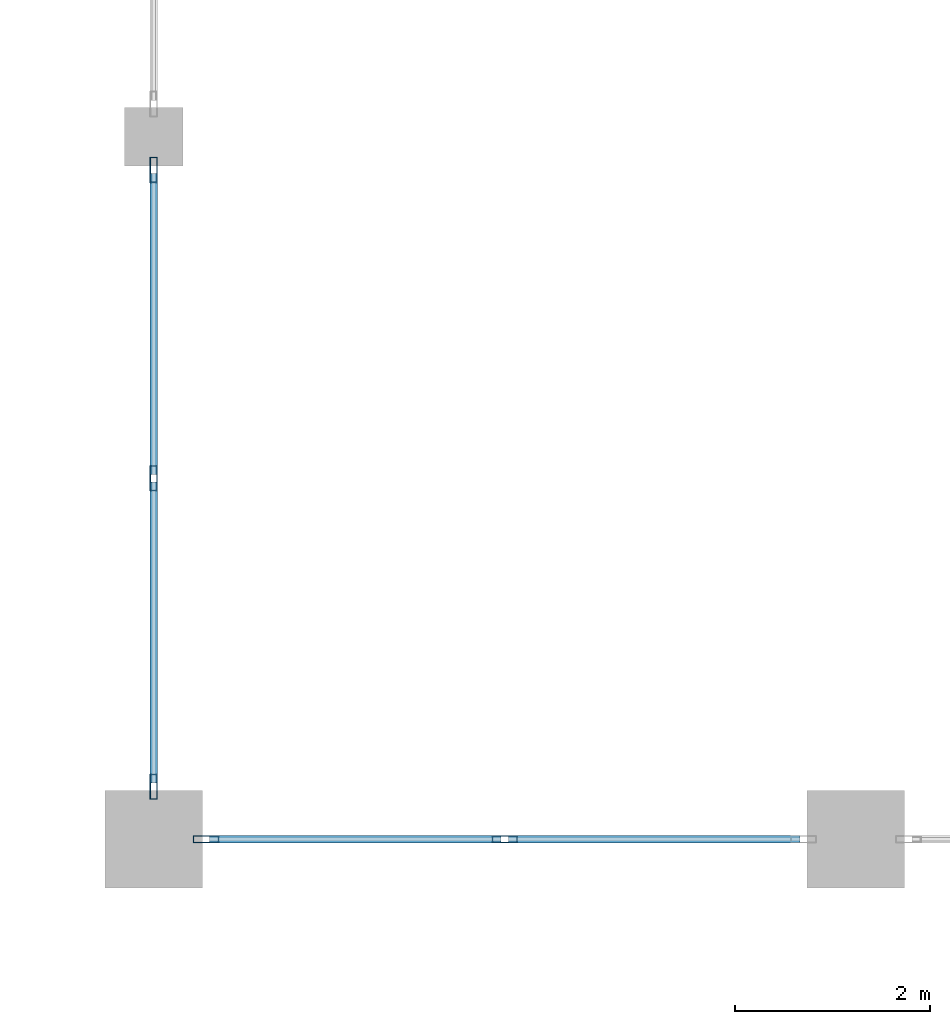
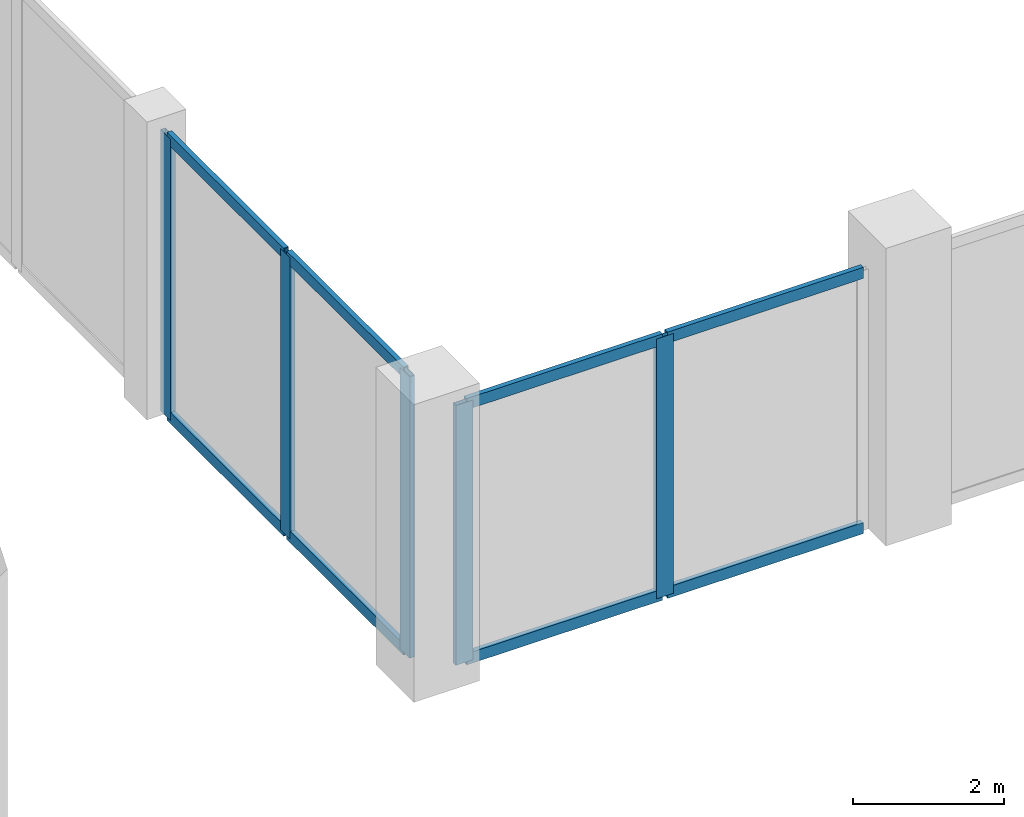
# One storey, part 26 of 99: 13 members, 2 elements without a shape of their own.
"""IFC4 building model written with IfcOpenShell, lengths in metres."""

from ifc_helpers import new_model, si_unit, direction, frame, origin, origin_2d, place, context, subcontext, project, spatial, hollow_rectangle, extrude, material, material_profile, profile_set, type_object, element, aggregate, save


model = new_model("IFC4")

# Units and contexts
model_context = context("Model", 3, precision=1e-05, world=origin(), true_north=direction((0.0, 1.0)))
body_context = subcontext(model_context, "Body", "Model", "MODEL_VIEW")
ifc_project = project(units=[si_unit("LENGTHUNIT", "METRE"), si_unit("AREAUNIT", "SQUARE_METRE"), si_unit("VOLUMEUNIT", "CUBIC_METRE"), si_unit("PLANEANGLEUNIT", "RADIAN"), si_unit("MASSUNIT", "GRAM", prefix="KILO")], contexts=[model_context])

# Site, building, storey
site_placement = place(None, origin())
site = spatial("IfcSite", under=ifc_project, at=site_placement, CompositionType="ELEMENT")
building_placement = place(site_placement, origin())
building = spatial("IfcBuilding", under=site, at=building_placement, Name="Vesperath Aquatics Centre", CompositionType="ELEMENT")
storey_placement = place(building_placement, frame((0.0, 0.0, 5.39990234375)))
storey = spatial("IfcBuildingStorey", under=building, at=storey_placement, Name="L01", CompositionType="ELEMENT", Elevation=5.39990234375)

# Curtain wall, members
ifc_material_1 = material(Name="Thermally broken anodised bronze aluminium curtain wall", Category="aluminium")
curtain_wall_type = type_object("IfcCurtainWallType", Name="CW-02", PredefinedType="NOTDEFINED", material=ifc_material_1)
curtain_wall_1_placement = place(storey_placement, origin())
curtain_wall_1 = element("IfcCurtainWall", 1, at=curtain_wall_1_placement, inside=storey, type_object=curtain_wall_type, Name="Facade Curtain Wall CW02 L01_N_08_12", PredefinedType="NOTDEFINED")
ifc_material_2 = material(Name="Thermally broken anodised aluminium", Category="aluminium")
ifc_material_profile_1 = material_profile(ifc_material_2, hollow_rectangle(XDim=0.074951171875, YDim=0.260009765625, WallThickness=0.006103515625, at=origin_2d()), Name="CWM 75x260x6")
ifc_profile_set_1 = profile_set([ifc_material_profile_1], Name="Thermally broken anodised aluminium")
member_type_1 = type_object("IfcMemberType", Name="MB-CWM1", PredefinedType="MULLION", material=ifc_profile_set_1)
member_1_placement = place(storey_placement, frame((58.137451171875, 86.39990234375, 0.0), z_axis=(0.0, 0.0, 1.0), x_axis=(0.0, 1.0, 0.0)))
member_1 = element("IfcMember", 2, at=member_1_placement, type_object=member_type_1, Name="CW02 mullion 1", PredefinedType="MULLION", context=body_context, shape_type="SweptSolid", body=[
    extrude(hollow_rectangle(XDim=0.074951171875, YDim=0.260009765625, WallThickness=0.006103515625, at=origin_2d()), origin(), (0.0, 0.0, 1.0), 4.190185546875),
])
member_2_placement = place(storey_placement, frame((61.199951171875, 86.39990234375, 0.0), z_axis=(0.0, 0.0, 1.0), x_axis=(0.0, 1.0, 0.0)))
member_2 = element("IfcMember", 3, at=member_2_placement, type_object=member_type_1, Name="CW02 mullion 2", PredefinedType="MULLION", context=body_context, shape_type="SweptSolid", body=[
    extrude(hollow_rectangle(XDim=0.074951171875, YDim=0.260009765625, WallThickness=0.006103515625, at=origin_2d()), origin(), (0.0, 0.0, 1.0), 4.190185546875),
])

curtain_wall_2_placement = place(storey_placement, origin())
curtain_wall_2 = element("IfcCurtainWall", 4, at=curtain_wall_2_placement, inside=storey, type_object=curtain_wall_type, Name="Facade Curtain Wall CW02 L01_E_08_12", PredefinedType="NOTDEFINED")
member_3_placement = place(storey_placement, frame((57.60009765625, 86.9375, 0.0), z_axis=(0.0, 0.0, 1.0), x_axis=(-1.0, 0.0, 0.0)))
member_3 = element("IfcMember", 5, at=member_3_placement, type_object=member_type_1, Name="CW02 mullion 1", PredefinedType="MULLION", context=body_context, shape_type="SweptSolid", body=[
    extrude(hollow_rectangle(XDim=0.074951171875, YDim=0.260009765625, WallThickness=0.006103515625, at=origin_2d()), origin(), (0.0, 0.0, 1.0), 4.5400390625),
])
member_4_placement = place(storey_placement, frame((57.60009765625, 90.10009765625, 0.0), z_axis=(0.0, 0.0, 1.0), x_axis=(-1.0, 0.0, 0.0)))
member_4 = element("IfcMember", 6, at=member_4_placement, type_object=member_type_1, Name="CW02 mullion 2", PredefinedType="MULLION", context=body_context, shape_type="SweptSolid", body=[
    extrude(hollow_rectangle(XDim=0.074951171875, YDim=0.260009765625, WallThickness=0.006103515625, at=origin_2d()), origin(), (0.0, 0.0, 1.0), 4.5400390625),
])
member_5_placement = place(storey_placement, frame((57.60009765625, 93.262451171875, 0.0), z_axis=(0.0, 0.0, 1.0), x_axis=(-1.0, 0.0, 0.0)))
member_5 = element("IfcMember", 7, at=member_5_placement, type_object=member_type_1, Name="CW02 mullion 3", PredefinedType="MULLION", context=body_context, shape_type="SweptSolid", body=[
    extrude(hollow_rectangle(XDim=0.074951171875, YDim=0.260009765625, WallThickness=0.006103515625, at=origin_2d()), origin(), (0.0, 0.0, 1.0), 4.5400390625),
])

# Member
ifc_material_profile_2 = material_profile(ifc_material_2, hollow_rectangle(XDim=0.074951171875, YDim=0.179931640625, WallThickness=0.0048828125, at=origin_2d()), Name="CWT 75x180x5")
ifc_profile_set_2 = profile_set([ifc_material_profile_2], Name="Thermally broken anodised aluminium")
member_type_2 = type_object("IfcMemberType", Name="MB-CWT1", PredefinedType="USERDEFINED", material=ifc_profile_set_2)
member_6_placement = place(storey_placement, frame((58.175048828125, 86.39990234375, 0.03759765625), z_axis=(1.0, 0.0, 0.0), x_axis=(0.0, 1.0, 0.0)))
member_6 = element("IfcMember", 8, at=member_6_placement, type_object=member_type_2, Name="CW02 transom 1.1", ObjectType="TRANSOM", PredefinedType="USERDEFINED", context=body_context, shape_type="SweptSolid", body=[
    extrude(hollow_rectangle(XDim=0.074951171875, YDim=0.179931640625, WallThickness=0.0048828125, at=origin_2d()), origin(), (0.0, 0.0, 1.0), 2.987548828125),
])

member_7_placement = place(storey_placement, frame((58.175048828125, 86.39990234375, 4.152587890625), z_axis=(1.0, 0.0, 0.0), x_axis=(0.0, 1.0, 0.0)))
member_7 = element("IfcMember", 9, at=member_7_placement, type_object=member_type_2, Name="CW02 transom 1.2", ObjectType="TRANSOM", PredefinedType="USERDEFINED", context=body_context, shape_type="SweptSolid", body=[
    extrude(hollow_rectangle(XDim=0.074951171875, YDim=0.179931640625, WallThickness=0.0048828125, at=origin_2d()), origin(), (0.0, 0.0, 1.0), 2.987548828125),
])

member_8_placement = place(storey_placement, frame((61.237548828125, 86.39990234375, 0.03759765625), z_axis=(1.0, 0.0, 0.0), x_axis=(0.0, 1.0, 0.0)))
member_8 = element("IfcMember", 10, at=member_8_placement, type_object=member_type_2, Name="CW02 transom 2.1", ObjectType="TRANSOM", PredefinedType="USERDEFINED", context=body_context, shape_type="SweptSolid", body=[
    extrude(hollow_rectangle(XDim=0.074951171875, YDim=0.179931640625, WallThickness=0.0048828125, at=origin_2d()), origin(), (0.0, 0.0, 1.0), 2.987548828125),
])

member_9_placement = place(storey_placement, frame((61.237548828125, 86.39990234375, 4.152587890625), z_axis=(1.0, 0.0, 0.0), x_axis=(0.0, 1.0, 0.0)))
member_9 = element("IfcMember", 11, at=member_9_placement, type_object=member_type_2, Name="CW02 transom 2.2", ObjectType="TRANSOM", PredefinedType="USERDEFINED", context=body_context, shape_type="SweptSolid", body=[
    extrude(hollow_rectangle(XDim=0.074951171875, YDim=0.179931640625, WallThickness=0.0048828125, at=origin_2d()), origin(), (0.0, 0.0, 1.0), 2.987548828125),
])

aggregate(curtain_wall_1, [member_1, member_2, member_6, member_7, member_8, member_9])

member_10_placement = place(storey_placement, frame((57.60009765625, 86.97509765625, 0.03759765625), z_axis=(0.0, 1.0, 0.0), x_axis=(-1.0, 0.0, 0.0)))
member_10 = element("IfcMember", 12, at=member_10_placement, type_object=member_type_2, Name="CW02 transom 1.1", ObjectType="TRANSOM", PredefinedType="USERDEFINED", context=body_context, shape_type="SweptSolid", body=[
    extrude(hollow_rectangle(XDim=0.074951171875, YDim=0.179931640625, WallThickness=0.0048828125, at=origin_2d()), origin(), (0.0, 0.0, 1.0), 3.08740234375),
])

member_11_placement = place(storey_placement, frame((57.60009765625, 86.97509765625, 4.502685546875), z_axis=(0.0, 1.0, 0.0), x_axis=(-1.0, 0.0, 0.0)))
member_11 = element("IfcMember", 13, at=member_11_placement, type_object=member_type_2, Name="CW02 transom 1.2", ObjectType="TRANSOM", PredefinedType="USERDEFINED", context=body_context, shape_type="SweptSolid", body=[
    extrude(hollow_rectangle(XDim=0.074951171875, YDim=0.179931640625, WallThickness=0.0048828125, at=origin_2d()), origin(), (0.0, 0.0, 1.0), 3.08740234375),
])

member_12_placement = place(storey_placement, frame((57.60009765625, 90.137451171875, 0.03759765625), z_axis=(0.0, 1.0, 0.0), x_axis=(-1.0, 0.0, 0.0)))
member_12 = element("IfcMember", 14, at=member_12_placement, type_object=member_type_2, Name="CW02 transom 2.1", ObjectType="TRANSOM", PredefinedType="USERDEFINED", context=body_context, shape_type="SweptSolid", body=[
    extrude(hollow_rectangle(XDim=0.074951171875, YDim=0.179931640625, WallThickness=0.0048828125, at=origin_2d()), origin(), (0.0, 0.0, 1.0), 3.087646484375),
])

member_13_placement = place(storey_placement, frame((57.60009765625, 90.137451171875, 4.502685546875), z_axis=(0.0, 1.0, 0.0), x_axis=(-1.0, 0.0, 0.0)))
member_13 = element("IfcMember", 15, at=member_13_placement, type_object=member_type_2, Name="CW02 transom 2.2", ObjectType="TRANSOM", PredefinedType="USERDEFINED", context=body_context, shape_type="SweptSolid", body=[
    extrude(hollow_rectangle(XDim=0.074951171875, YDim=0.179931640625, WallThickness=0.0048828125, at=origin_2d()), origin(), (0.0, 0.0, 1.0), 3.087646484375),
])

aggregate(curtain_wall_2, [member_3, member_4, member_5, member_10, member_11, member_12, member_13])

save(model, "model.ifc")
